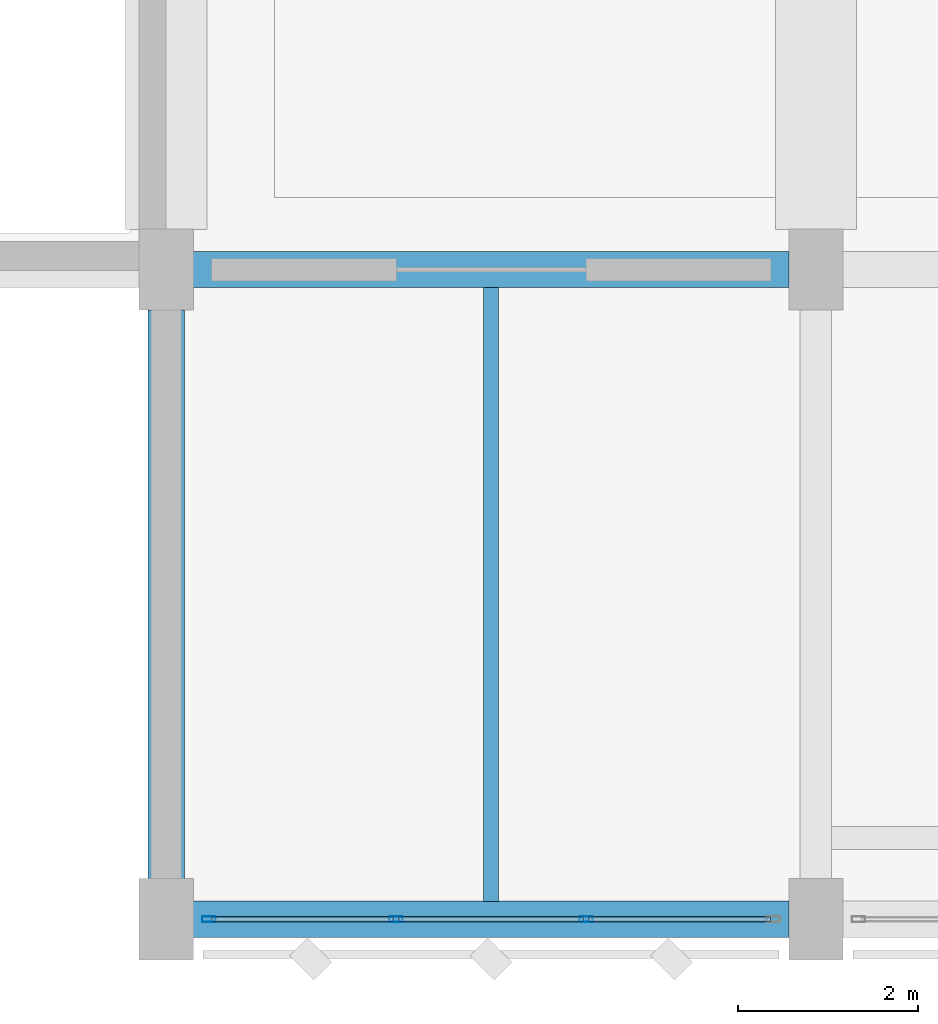
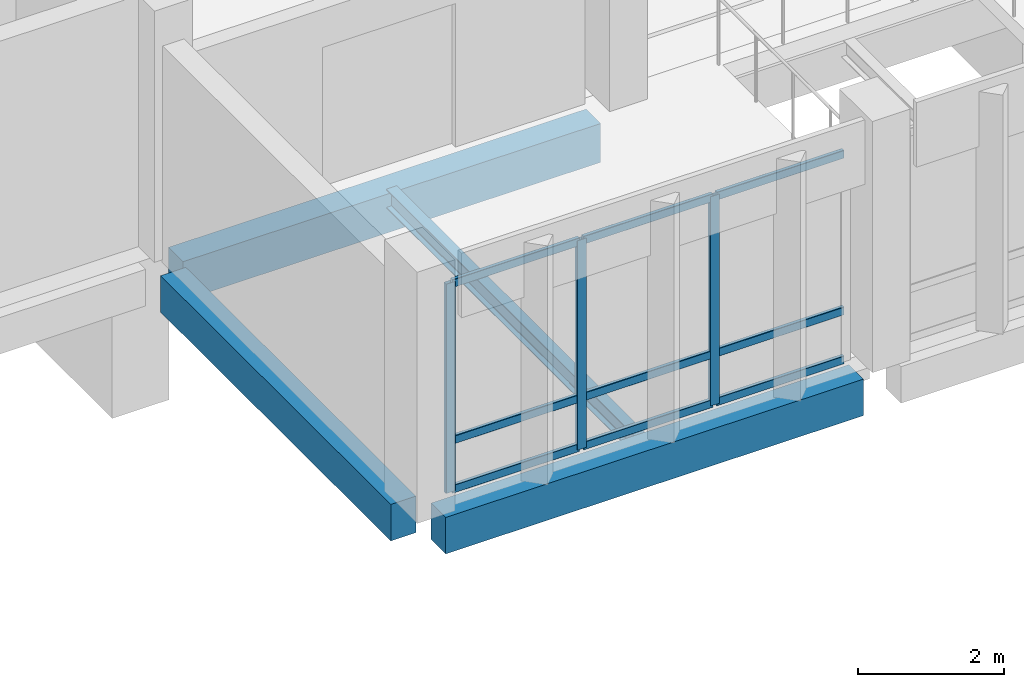
# One storey, part 19 of 158: 12 members, 4 beams, 1 element without a shape of its own.
"""IFC4 building model written with IfcOpenShell, lengths in metres."""

from ifc_helpers import new_model, si_unit, direction, frame, origin, origin_2d, place, context, subcontext, project, spatial, rectangle, hollow_rectangle, i_section, extrude, material, material_profile, profile_set, type_object, element, aggregate, save


model = new_model("IFC4")

# Units and contexts
model_context = context("Model", 3, precision=1e-05, world=origin(), true_north=direction((0.0, 1.0)))
body_context = subcontext(model_context, "Body", "Model", "MODEL_VIEW")
ifc_project = project(units=[si_unit("LENGTHUNIT", "METRE"), si_unit("AREAUNIT", "SQUARE_METRE"), si_unit("VOLUMEUNIT", "CUBIC_METRE"), si_unit("PLANEANGLEUNIT", "RADIAN"), si_unit("MASSUNIT", "GRAM", prefix="KILO")], contexts=[model_context])

# Site, building, storey
site_placement = place(None, origin())
site = spatial("IfcSite", under=ifc_project, at=site_placement, CompositionType="ELEMENT")
building_placement = place(site_placement, origin())
building = spatial("IfcBuilding", under=site, at=building_placement, Name="Lusvemor Sports Hall", CompositionType="ELEMENT")
storey_placement = place(building_placement, frame((0.0, 0.0, 10.800048828125)))
storey = spatial("IfcBuildingStorey", under=building, at=storey_placement, Name="L02", CompositionType="ELEMENT", Elevation=10.800048828125)

# Beam
ifc_material_1 = material(Name="Concrete C40/50", Category="concrete")
ifc_material_profile_1 = material_profile(ifc_material_1, rectangle(XDim=0.39990234375, YDim=0.64990234375, at=origin_2d()), Name="RC400x650")
ifc_profile_set_1 = profile_set([ifc_material_profile_1], Name="Concrete C40/50")
beam_type_1 = type_object("IfcBeamType", Name="BEAM_RC_650", PredefinedType="BEAM", material=ifc_profile_set_1)
beam_1_placement = place(storey_placement, frame((119.095947265625, 7.199951171875, -0.675048828125), z_axis=(1.0, 0.0, 0.0), x_axis=(0.0, 1.0, 0.0)))
element("IfcBeam", 1, at=beam_1_placement, inside=storey, type_object=beam_type_1, Name="Beam L02 B:13-14", PredefinedType="BEAM", context=body_context, shape_type="SweptSolid", body=[
    extrude(rectangle(XDim=0.39990234375, YDim=0.64990234375, at=origin_2d()), origin(), (0.0, 0.0, 1.0), 6.608154296875),
])

# Curtain wall, members
ifc_material_2 = material(Name="Thermally broken bronze-anodized aluminium", Category="aluminium")
curtain_wall_type = type_object("IfcCurtainWallType", Name="CW_COURT_C", PredefinedType="NOTDEFINED", material=ifc_material_2)
curtain_wall_placement = place(storey_placement, origin())
curtain_wall = element("IfcCurtainWall", 2, at=curtain_wall_placement, inside=storey, type_object=curtain_wall_type, Name="Curtain Wall CW-V2S-L02-0", PredefinedType="NOTDEFINED")
ifc_material_3 = material(Name="Thermally broken bronze-anodized aluminium", Category="aluminium")
ifc_material_profile_2 = material_profile(ifc_material_3, hollow_rectangle(XDim=0.06494140625, YDim=0.14990234375, WallThickness=0.00390625, InnerFilletRadius=0.00390625, OuterFilletRadius=0.008056640625, at=origin_2d()), Name="CWMUL150x65x4")
ifc_profile_set_2 = profile_set([ifc_material_profile_2], Name="Thermally broken bronze-anodized aluminium")
member_type_1 = type_object("IfcMemberType", Name="CW_MUL_B", PredefinedType="MULLION", material=ifc_profile_set_2)
member_1_placement = place(storey_placement, frame((123.453369140625, 0.0, 0.0), z_axis=(0.0, 0.0, 1.0), x_axis=(0.0, -1.0, 0.0)))
member_1 = element("IfcMember", 3, at=member_1_placement, type_object=member_type_1, Name="CW03 mullion 2", PredefinedType="MULLION", context=body_context, shape_type="SweptSolid", body=[
    extrude(hollow_rectangle(XDim=0.06494140625, YDim=0.14990234375, WallThickness=0.00390625, InnerFilletRadius=0.00390625, OuterFilletRadius=0.008056640625, at=origin_2d()), origin(), (0.0, 0.0, 1.0), 3.5),
])
member_2_placement = place(storey_placement, frame((121.3466796875, 0.0, 0.0), z_axis=(0.0, 0.0, 1.0), x_axis=(0.0, -1.0, 0.0)))
member_2 = element("IfcMember", 4, at=member_2_placement, type_object=member_type_1, Name="CW03 mullion 3", PredefinedType="MULLION", context=body_context, shape_type="SweptSolid", body=[
    extrude(hollow_rectangle(XDim=0.06494140625, YDim=0.14990234375, WallThickness=0.00390625, InnerFilletRadius=0.00390625, OuterFilletRadius=0.008056640625, at=origin_2d()), origin(), (0.0, 0.0, 1.0), 3.5),
])
member_3_placement = place(storey_placement, frame((119.2724609375, 0.0, 0.0), z_axis=(0.0, 0.0, 1.0), x_axis=(0.0, -1.0, 0.0)))
member_3 = element("IfcMember", 5, at=member_3_placement, type_object=member_type_1, Name="CW03 mullion 4", PredefinedType="MULLION", context=body_context, shape_type="SweptSolid", body=[
    extrude(hollow_rectangle(XDim=0.06494140625, YDim=0.14990234375, WallThickness=0.00390625, InnerFilletRadius=0.00390625, OuterFilletRadius=0.008056640625, at=origin_2d()), origin(), (0.0, 0.0, 1.0), 3.5),
])
ifc_material_4 = material(Name="Thermally broken bronze-anodized aluminium", Category="aluminium")
ifc_material_profile_3 = material_profile(ifc_material_4, hollow_rectangle(XDim=0.06005859375, YDim=0.135009765625, WallThickness=0.00390625, InnerFilletRadius=0.00390625, OuterFilletRadius=0.008056640625, at=origin_2d()), Name="CWTRN135x60x4")
ifc_profile_set_3 = profile_set([ifc_material_profile_3], Name="Thermally broken bronze-anodized aluminium")
member_type_2 = type_object("IfcMemberType", Name="CW_TRN_B", PredefinedType="USERDEFINED", material=ifc_profile_set_3)
member_4_placement = place(storey_placement, frame((125.4951171875, 0.0, 0.030029296875), z_axis=(-1.0, 0.0, 0.0), x_axis=(0.0, -1.0, 0.0)))
member_4 = element("IfcMember", 6, at=member_4_placement, type_object=member_type_2, Name="CW03 transom 1.1", ObjectType="TRANSOM", PredefinedType="USERDEFINED", context=body_context, shape_type="SweptSolid", body=[
    extrude(hollow_rectangle(XDim=0.06005859375, YDim=0.135009765625, WallThickness=0.00390625, InnerFilletRadius=0.00390625, OuterFilletRadius=0.008056640625, at=origin_2d()), origin(), (0.0, 0.0, 1.0), 2.00927734375),
])
member_5_placement = place(storey_placement, frame((125.4951171875, 0.0, 0.849853515625), z_axis=(-1.0, 0.0, 0.0), x_axis=(0.0, -1.0, 0.0)))
member_5 = element("IfcMember", 7, at=member_5_placement, type_object=member_type_2, Name="CW03 transom 1.2", ObjectType="TRANSOM", PredefinedType="USERDEFINED", context=body_context, shape_type="SweptSolid", body=[
    extrude(hollow_rectangle(XDim=0.06005859375, YDim=0.135009765625, WallThickness=0.00390625, InnerFilletRadius=0.00390625, OuterFilletRadius=0.008056640625, at=origin_2d()), origin(), (0.0, 0.0, 1.0), 2.00927734375),
])
member_6_placement = place(storey_placement, frame((125.4951171875, 0.0, 3.469970703125), z_axis=(-1.0, 0.0, 0.0), x_axis=(0.0, -1.0, 0.0)))
member_6 = element("IfcMember", 8, at=member_6_placement, type_object=member_type_2, Name="CW03 transom 1.3", ObjectType="TRANSOM", PredefinedType="USERDEFINED", context=body_context, shape_type="SweptSolid", body=[
    extrude(hollow_rectangle(XDim=0.06005859375, YDim=0.135009765625, WallThickness=0.00390625, InnerFilletRadius=0.00390625, OuterFilletRadius=0.008056640625, at=origin_2d()), origin(), (0.0, 0.0, 1.0), 2.00927734375),
])
member_7_placement = place(storey_placement, frame((123.4208984375, 0.0, 0.030029296875), z_axis=(-1.0, 0.0, 0.0), x_axis=(0.0, -1.0, 0.0)))
member_7 = element("IfcMember", 9, at=member_7_placement, type_object=member_type_2, Name="CW03 transom 2.1", ObjectType="TRANSOM", PredefinedType="USERDEFINED", context=body_context, shape_type="SweptSolid", body=[
    extrude(hollow_rectangle(XDim=0.06005859375, YDim=0.135009765625, WallThickness=0.00390625, InnerFilletRadius=0.00390625, OuterFilletRadius=0.008056640625, at=origin_2d()), origin(), (0.0, 0.0, 1.0), 2.041748046875),
])
member_8_placement = place(storey_placement, frame((123.4208984375, 0.0, 0.849853515625), z_axis=(-1.0, 0.0, 0.0), x_axis=(0.0, -1.0, 0.0)))
member_8 = element("IfcMember", 10, at=member_8_placement, type_object=member_type_2, Name="CW03 transom 2.2", ObjectType="TRANSOM", PredefinedType="USERDEFINED", context=body_context, shape_type="SweptSolid", body=[
    extrude(hollow_rectangle(XDim=0.06005859375, YDim=0.135009765625, WallThickness=0.00390625, InnerFilletRadius=0.00390625, OuterFilletRadius=0.008056640625, at=origin_2d()), origin(), (0.0, 0.0, 1.0), 2.041748046875),
])
member_9_placement = place(storey_placement, frame((123.4208984375, 0.0, 3.469970703125), z_axis=(-1.0, 0.0, 0.0), x_axis=(0.0, -1.0, 0.0)))
member_9 = element("IfcMember", 11, at=member_9_placement, type_object=member_type_2, Name="CW03 transom 2.3", ObjectType="TRANSOM", PredefinedType="USERDEFINED", context=body_context, shape_type="SweptSolid", body=[
    extrude(hollow_rectangle(XDim=0.06005859375, YDim=0.135009765625, WallThickness=0.00390625, InnerFilletRadius=0.00390625, OuterFilletRadius=0.008056640625, at=origin_2d()), origin(), (0.0, 0.0, 1.0), 2.041748046875),
])
member_10_placement = place(storey_placement, frame((121.314208984375, 0.0, 0.030029296875), z_axis=(-1.0, 0.0, 0.0), x_axis=(0.0, -1.0, 0.0)))
member_10 = element("IfcMember", 12, at=member_10_placement, type_object=member_type_2, Name="CW03 transom 3.1", ObjectType="TRANSOM", PredefinedType="USERDEFINED", context=body_context, shape_type="SweptSolid", body=[
    extrude(hollow_rectangle(XDim=0.06005859375, YDim=0.135009765625, WallThickness=0.00390625, InnerFilletRadius=0.00390625, OuterFilletRadius=0.008056640625, at=origin_2d()), origin(), (0.0, 0.0, 1.0), 2.00927734375),
])
member_11_placement = place(storey_placement, frame((121.314208984375, 0.0, 0.849853515625), z_axis=(-1.0, 0.0, 0.0), x_axis=(0.0, -1.0, 0.0)))
member_11 = element("IfcMember", 13, at=member_11_placement, type_object=member_type_2, Name="CW03 transom 3.2", ObjectType="TRANSOM", PredefinedType="USERDEFINED", context=body_context, shape_type="SweptSolid", body=[
    extrude(hollow_rectangle(XDim=0.06005859375, YDim=0.135009765625, WallThickness=0.00390625, InnerFilletRadius=0.00390625, OuterFilletRadius=0.008056640625, at=origin_2d()), origin(), (0.0, 0.0, 1.0), 2.00927734375),
])
member_12_placement = place(storey_placement, frame((121.314208984375, 0.0, 3.469970703125), z_axis=(-1.0, 0.0, 0.0), x_axis=(0.0, -1.0, 0.0)))
member_12 = element("IfcMember", 14, at=member_12_placement, type_object=member_type_2, Name="CW03 transom 3.3", ObjectType="TRANSOM", PredefinedType="USERDEFINED", context=body_context, shape_type="SweptSolid", body=[
    extrude(hollow_rectangle(XDim=0.06005859375, YDim=0.135009765625, WallThickness=0.00390625, InnerFilletRadius=0.00390625, OuterFilletRadius=0.008056640625, at=origin_2d()), origin(), (0.0, 0.0, 1.0), 2.00927734375),
])
aggregate(curtain_wall, [member_1, member_2, member_3, member_4, member_5, member_6, member_7, member_8, member_9, member_10, member_11, member_12])

# Beams
ifc_material_5 = material(Name="Steel S355", Category="steel")
ifc_material_profile_4 = material_profile(ifc_material_5, i_section(OverallWidth=0.1669921875, OverallDepth=0.31689453125, WebThickness=0.007568359375, FlangeThickness=0.01318359375, FilletRadius=0.014892578125, at=origin_2d()), Name="W310x52.0")
ifc_profile_set_4 = profile_set([ifc_material_profile_4], Name="Steel S355")
beam_type_2 = type_object("IfcBeamType", Name="JOIST_ST_310M", PredefinedType="JOIST", material=ifc_profile_set_4)
beam_2_placement = place(storey_placement, frame((122.39990234375, 0.196044921875, -0.422607421875), z_axis=(0.0, 1.0, 0.0), x_axis=(-1.0, 0.0, 0.0)))
element("IfcBeam", 15, at=beam_2_placement, inside=storey, type_object=beam_type_2, Name="Secondary Joist L02 13-14/A-B #1", PredefinedType="JOIST", context=body_context, shape_type="SweptSolid", body=[
    extrude(i_section(OverallWidth=0.1669921875, OverallDepth=0.31689453125, WebThickness=0.007568359375, FlangeThickness=0.01318359375, FilletRadius=0.014892578125, at=origin_2d()), origin(), (0.0, 0.0, 1.0), 6.807861328125),
])
ifc_material_6 = material(Name="Concrete C40/50", Category="concrete")
ifc_material_profile_5 = material_profile(ifc_material_6, rectangle(XDim=0.39990234375, YDim=0.610107421875, at=origin_2d()), Name="RC400x610")
ifc_profile_set_5 = profile_set([ifc_material_profile_5], Name="Concrete C40/50")
beam_type_3 = type_object("IfcBeamType", Name="SPAND_EXT_650", PredefinedType="SPANDREL", material=ifc_profile_set_5)
beam_3_placement = place(storey_placement, frame((119.095947265625, 0.0, -0.56494140625), z_axis=(1.0, 0.0, 0.0), x_axis=(0.0, 1.0, 0.0)))
element("IfcBeam", 16, at=beam_3_placement, inside=storey, type_object=beam_type_3, Name="Beam L02 A:13-14", PredefinedType="SPANDREL", context=body_context, shape_type="SweptSolid", body=[
    extrude(rectangle(XDim=0.39990234375, YDim=0.610107421875, at=origin_2d()), origin(), (0.0, 0.0, 1.0), 6.608154296875),
])
beam_4_placement = place(storey_placement, frame((118.800048828125, 0.446044921875, -0.56494140625), z_axis=(0.0, 1.0, 0.0), x_axis=(-1.0, 0.0, 0.0)))
element("IfcBeam", 17, at=beam_4_placement, inside=storey, type_object=beam_type_3, Name="Beam L02 13:A-B", PredefinedType="SPANDREL", context=body_context, shape_type="SweptSolid", body=[
    extrude(rectangle(XDim=0.39990234375, YDim=0.610107421875, at=origin_2d()), origin(), (0.0, 0.0, 1.0), 6.307861328125),
])

save(model, "model.ifc")
